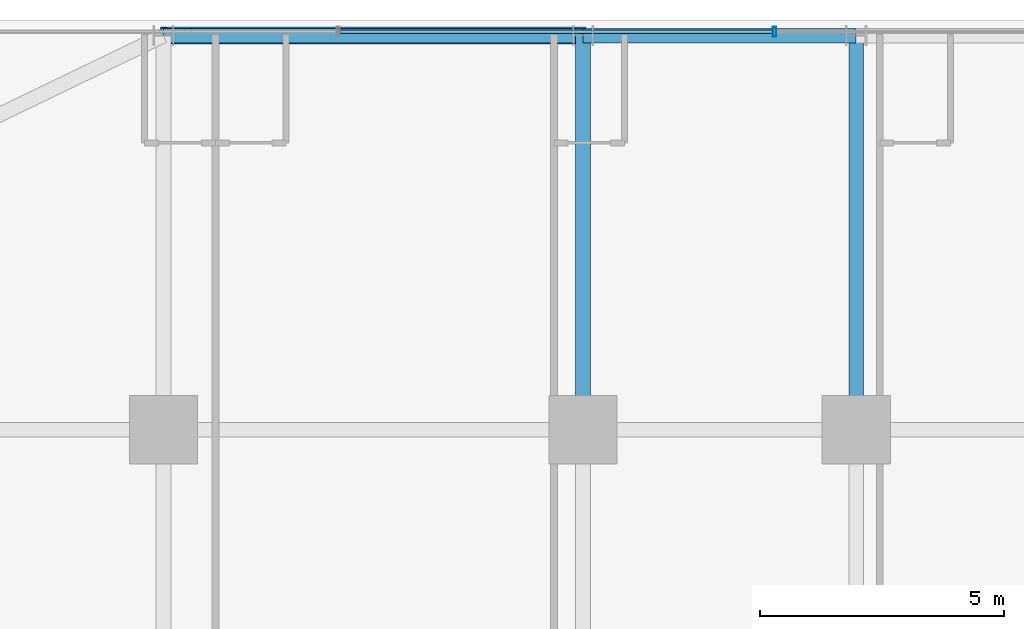
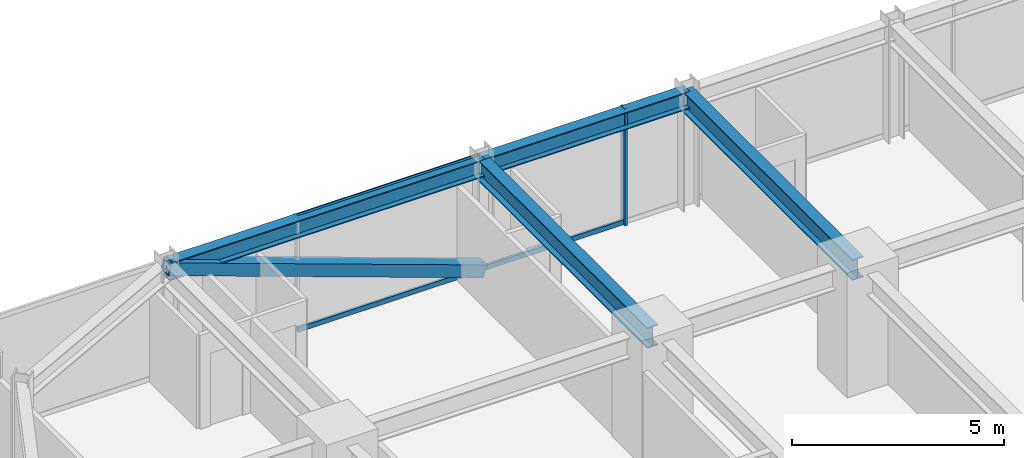
# One storey, part 22 of 35: 4 beams, 4 members, 1 element without a shape of its own.
"""IFC4 building model written with IfcOpenShell, lengths in metres."""

from ifc_helpers import new_model, si_unit, direction, frame, origin, origin_2d, place, context, subcontext, project, spatial, hollow_rectangle, i_section, extrude, source, transform, mapped, material, material_profile, profile_set, type_object, element, aggregate, save


model = new_model("IFC4")

# Units and contexts
model_context = context("Model", 3, precision=1e-05, world=origin(), true_north=direction((0.0, 1.0)))
body_context = subcontext(model_context, "Body", "Model", "MODEL_VIEW")
ifc_project = project(units=[si_unit("LENGTHUNIT", "METRE"), si_unit("AREAUNIT", "SQUARE_METRE"), si_unit("VOLUMEUNIT", "CUBIC_METRE"), si_unit("PLANEANGLEUNIT", "RADIAN"), si_unit("MASSUNIT", "GRAM", prefix="KILO")], contexts=[model_context])

# Site, building, storey
site_placement = place(None, origin())
site = spatial("IfcSite", under=ifc_project, at=site_placement, CompositionType="ELEMENT")
building_placement = place(site_placement, origin())
building = spatial("IfcBuilding", under=site, at=building_placement, Name="Nahalor Promenade Grand Hotel", CompositionType="ELEMENT")
storey_placement = place(building_placement, frame((0.0, 0.0, 43.35009765625)))
storey = spatial("IfcBuildingStorey", under=building, at=storey_placement, Name="L09", CompositionType="ELEMENT", Elevation=43.35009765625)

# Beams
ifc_material_1 = material(Name="Steel S355JR", Category="steel")
ifc_material_profile_1 = material_profile(ifc_material_1, i_section(OverallWidth=0.3, OverallDepth=0.5, WebThickness=0.0145, FlangeThickness=0.028, at=origin_2d()), Name="HEB 500")
ifc_profile_set_1 = profile_set([ifc_material_profile_1], Name="Steel S355JR")
beam_type_1 = type_object("IfcBeamType", Name="Beam-Spandrel-HEB500", PredefinedType="SPANDREL", material=ifc_profile_set_1)
shared_shape_1 = source(origin(), body_context, "Body", "SweptSolid", [
    extrude(i_section(OverallWidth=0.3, OverallDepth=0.5, WebThickness=0.0145, FlangeThickness=0.028, at=origin_2d()), origin(), (0.0, 0.0, 1.0), 8.60009765625),
])
beam_1_placement = place(storey_placement, frame((-17.0, 25.080078125, 3.119873046875), z_axis=(1.0, 0.0, 0.0), x_axis=(0.0, 1.0, 0.0)))
element("IfcBeam", 1, at=beam_1_placement, inside=storey, type_object=beam_type_1, Name="BM-L09-SP-N-0", PredefinedType="SPANDREL", context=body_context, shape_type="MappedRepresentation", body=[
    mapped(shared_shape_1, transform((0.0, 0.0, 0.0), scale=1.0)),
])
shared_shape_2 = source(origin(), body_context, "Body", "SweptSolid", [
    extrude(i_section(OverallWidth=0.3, OverallDepth=0.5, WebThickness=0.0145, FlangeThickness=0.028, at=origin_2d()), origin(), (0.0, 0.0, 1.0), 5.599853515625),
])
beam_2_placement = place(storey_placement, frame((-8.39990234375, 25.080078125, 3.119873046875), z_axis=(1.0, 0.0, 0.0), x_axis=(0.0, 1.0, 0.0)))
element("IfcBeam", 2, at=beam_2_placement, inside=storey, type_object=beam_type_1, Name="BM-L09-SP-N-1", PredefinedType="SPANDREL", context=body_context, shape_type="MappedRepresentation", body=[
    mapped(shared_shape_2, transform((0.0, 0.0, 0.0), scale=1.0)),
])
ifc_material_profile_2 = material_profile(ifc_material_1, i_section(OverallWidth=0.3, OverallDepth=0.6, WebThickness=0.0155, FlangeThickness=0.03, at=origin_2d()), Name="HEB 600")
ifc_profile_set_2 = profile_set([ifc_material_profile_2], Name="Steel S355JR")
beam_type_2 = type_object("IfcBeamType", Name="Beam-Girder-HEB600", PredefinedType="BEAM", material=ifc_profile_set_2)
shared_shape_3 = source(origin(), body_context, "Body", "SweptSolid", [
    extrude(i_section(OverallWidth=0.3, OverallDepth=0.6, WebThickness=0.0155, FlangeThickness=0.03, at=origin_2d()), origin(), (0.0, 0.0, 1.0), 8.080078125),
])
for number, where, z_axis, x_axis, name in (
    (3, (-8.39990234375, 17.0, 3.06982421875), (0.0, 1.0, 0.0), (-1.0, 0.0, 0.0), "BM-L09-GY-1-4"),
    (4, (-2.800048828125, 17.0, 3.06982421875), (0.0, 1.0, 0.0), (-1.0, 0.0, 0.0), "BM-L09-GY-2-4"),
):
    element("IfcBeam", number, at=place(storey_placement, frame(where, z_axis=z_axis, x_axis=x_axis)), inside=storey, type_object=beam_type_2, Name=name, PredefinedType="BEAM", context=body_context, shape_type="MappedRepresentation", body=[
        mapped(shared_shape_3, transform((0.0, 0.0, 0.0), scale=1.0)),
    ])

# Member
ifc_material_profile_3 = material_profile(ifc_material_1, hollow_rectangle(XDim=0.35, YDim=0.35, WallThickness=0.02, at=origin_2d()), Name="SHS 350x350x20")
ifc_profile_set_3 = profile_set([ifc_material_profile_3], Name="Steel S355JR")
member_type_1 = type_object("IfcMemberType", Name="Mem-VoidBrace-SHS350", PredefinedType="BRACE", material=ifc_profile_set_3)
shared_shape_4 = source(origin(), body_context, "Body", "SweptSolid", [
    extrude(hollow_rectangle(XDim=0.35, YDim=0.35, WallThickness=0.02, at=origin_2d()), origin(), (0.0, 0.0, 1.0), 9.131591796875),
])
member_1_placement = place(storey_placement, frame((-8.39990234375, 25.080078125, 0.14990234375), z_axis=(-0.941790292179, 0.0, 0.336200900589), x_axis=(0.0, -1.0, 0.0)))
element("IfcMember", 5, at=member_1_placement, inside=storey, type_object=member_type_1, Name="EXO-L09-N-0", PredefinedType="BRACE", context=body_context, shape_type="MappedRepresentation", body=[
    mapped(shared_shape_4, transform((0.0, 0.0, 0.0), scale=1.0)),
])

# Curtain wall, members
ifc_material_2 = material(Name="Anodised Bronze Aluminium EN AW-6063 T6", Category="aluminium")
curtain_wall_type = type_object("IfcCurtainWallType", Name="CW3 Elliptical-Void Collar Unitised Curtain Wall", PredefinedType="USERDEFINED", material=ifc_material_2)
curtain_wall_placement = place(storey_placement, origin())
curtain_wall = element("IfcCurtainWall", 6, at=curtain_wall_placement, inside=storey, type_object=curtain_wall_type, Name="L09 Curtain Wall CW-L09-N-1", ObjectType="UNITISED_CURTAIN_WALL", PredefinedType="USERDEFINED")
ifc_material_profile_4 = material_profile(ifc_material_2, hollow_rectangle(XDim=0.07, YDim=0.2, WallThickness=0.005, at=origin_2d()), Name="CWM 70x200x5")
ifc_profile_set_4 = profile_set([ifc_material_profile_4], Name="Anodised Bronze Aluminium EN AW-6063 T6")
member_type_2 = type_object("IfcMemberType", Name="CWM3 Void Collar Mullion 70x200", PredefinedType="MULLION", material=ifc_profile_set_4)
shared_shape_5 = source(origin(), body_context, "Body", "SweptSolid", [
    extrude(hollow_rectangle(XDim=0.07, YDim=0.2, WallThickness=0.005, at=origin_2d()), origin(), (0.0, 0.0, 1.0), 3.369873046875),
])
member_2_placement = place(storey_placement, frame((-4.471923828125, 25.159912109375, 0.0), z_axis=(0.0, 0.0, 1.0), x_axis=(1.0, 0.0, 0.0)))
member_2 = element("IfcMember", 7, at=member_2_placement, type_object=member_type_2, Name="CW-L09-N-1 Mullion 2", PredefinedType="MULLION", context=body_context, shape_type="MappedRepresentation", body=[
    mapped(shared_shape_5, transform((0.0, 0.0, 0.0), scale=1.0)),
])
ifc_material_profile_5 = material_profile(ifc_material_2, hollow_rectangle(XDim=0.07, YDim=0.14, WallThickness=0.004, at=origin_2d()), Name="CWT 70x140x4")
ifc_profile_set_5 = profile_set([ifc_material_profile_5], Name="Anodised Bronze Aluminium EN AW-6063 T6")
member_type_3 = type_object("IfcMemberType", Name="CWT3 Void Collar Transom 70x140", PredefinedType="USERDEFINED", material=ifc_profile_set_5)
shared_shape_6 = source(origin(), body_context, "Body", "SweptSolid", [
    extrude(hollow_rectangle(XDim=0.07, YDim=0.14, WallThickness=0.004, at=origin_2d()), origin(), (0.0, 0.0, 1.0), 8.8740234375),
])
member_3_placement = place(storey_placement, frame((-13.381103515625, 25.159912109375, 0.06982421875), z_axis=(1.0, 0.0, 0.0), x_axis=(0.0, 1.0, 0.0)))
member_3 = element("IfcMember", 8, at=member_3_placement, type_object=member_type_3, Name="CW-L09-N-1 Transom 1-0", ObjectType="TRANSOM", PredefinedType="USERDEFINED", context=body_context, shape_type="MappedRepresentation", body=[
    mapped(shared_shape_6, transform((0.0, 0.0, 0.0), scale=1.0)),
])
member_4_placement = place(storey_placement, frame((-13.381103515625, 25.159912109375, 3.2998046875), z_axis=(1.0, 0.0, 0.0), x_axis=(0.0, 1.0, 0.0)))
member_4 = element("IfcMember", 9, at=member_4_placement, type_object=member_type_3, Name="CW-L09-N-1 Transom 1-1", ObjectType="TRANSOM", PredefinedType="USERDEFINED", context=body_context, shape_type="MappedRepresentation", body=[
    mapped(shared_shape_6, transform((0.0, 0.0, 0.0), scale=1.0)),
])
aggregate(curtain_wall, [member_2, member_3, member_4])

save(model, "model.ifc")
